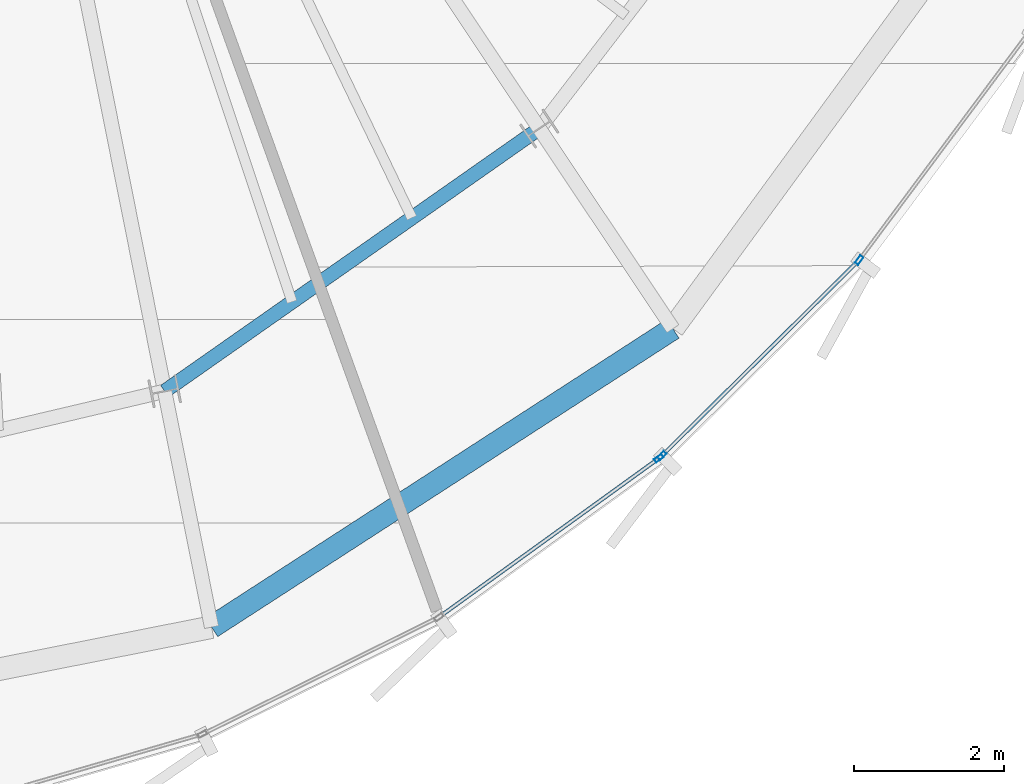
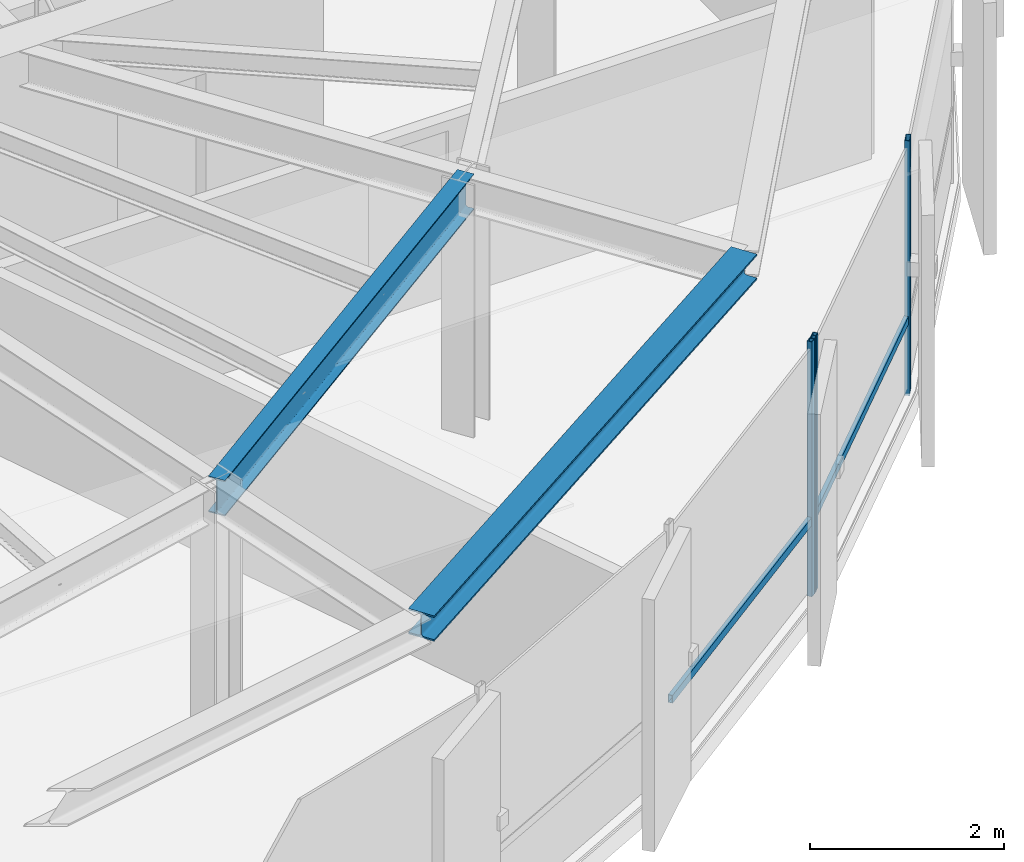
# One storey, part 7 of 30: 5 members, 2 beams, 2 elements without a shape of their own.
"""IFC4 building model written with IfcOpenShell, lengths in metres."""

from ifc_helpers import new_model, si_unit, direction, frame, origin, origin_2d, place, context, subcontext, project, spatial, hollow_rectangle, i_section, extrude, source, transform, mapped, material, layer, layer_set, material_profile, profile_set, type_object, element, aggregate, save


model = new_model("IFC4")

# Units and contexts
model_context = context("Model", 3, precision=1e-05, world=origin(), true_north=direction((0.0, 1.0)))
body_context = subcontext(model_context, "Body", "Model", "MODEL_VIEW")
ifc_project = project(units=[si_unit("LENGTHUNIT", "METRE"), si_unit("AREAUNIT", "SQUARE_METRE"), si_unit("VOLUMEUNIT", "CUBIC_METRE"), si_unit("PLANEANGLEUNIT", "RADIAN"), si_unit("MASSUNIT", "GRAM", prefix="KILO"), si_unit("THERMODYNAMICTEMPERATUREUNIT", "KELVIN")], contexts=[model_context])

# Site, building, storey
site_placement = place(None, origin())
site = spatial("IfcSite", under=ifc_project, at=site_placement, CompositionType="ELEMENT")
building_placement = place(site_placement, origin())
building = spatial("IfcBuilding", under=site, at=building_placement, Name="Kethvar Cultural Tower", CompositionType="ELEMENT")
storey_placement = place(building_placement, frame((0.0, 0.0, 297.39990234375)))
storey = spatial("IfcBuildingStorey", under=building, at=storey_placement, Name="L79", CompositionType="ELEMENT", Elevation=297.39990234375)

# Beams
ifc_material_1 = material(Name="Steel S355J2", Category="steel")
ifc_material_profile_1 = material_profile(ifc_material_1, i_section(OverallWidth=0.18994140625, OverallDepth=0.449951171875, WebThickness=0.009521484375, FlangeThickness=0.0146484375, FilletRadius=0.02099609375, at=origin_2d()), Name="Steel S355J2 — IPE450")
ifc_profile_set_1 = profile_set([ifc_material_profile_1], Name="Steel S355J2 — IPE450")
beam_type_1 = type_object("IfcBeamType", Name="BM-IPE450", PredefinedType="BEAM", material=ifc_profile_set_1)
shared_shape_1 = source(origin(), body_context, "Body", "SweptSolid", [
    extrude(i_section(OverallWidth=0.18994140625, OverallDepth=0.449951171875, WebThickness=0.009521484375, FlangeThickness=0.0146484375, FilletRadius=0.02099609375, at=origin_2d()), origin(), (0.0, 0.0, 1.0), 6.0859375),
])
beam_1_placement = place(storey_placement, frame((49.901611328125, 12.206787109375, 2.983154296875), z_axis=(0.818843498091, 0.57401683393, 0.0), x_axis=(-0.57401683393, 0.818843498091, 0.0)))
element("IfcBeam", 1, at=beam_1_placement, inside=storey, type_object=beam_type_1, Name="L79 Column Ring Tie Beam CR-13", PredefinedType="BEAM", context=body_context, shape_type="MappedRepresentation", body=[
    mapped(shared_shape_1, transform((0.0, 0.0, 0.0), scale=1.0)),
])
ifc_material_profile_2 = material_profile(ifc_material_1, i_section(OverallWidth=0.300048828125, OverallDepth=0.320068359375, WebThickness=0.011474609375, FlangeThickness=0.0205078125, FilletRadius=0.027099609375, at=origin_2d()), Name="Steel S355J2 — HEB320")
ifc_profile_set_2 = profile_set([ifc_material_profile_2], Name="Steel S355J2 — HEB320")
beam_type_2 = type_object("IfcBeamType", Name="BM-SP320", PredefinedType="SPANDREL", material=ifc_profile_set_2)
shared_shape_2 = source(origin(), body_context, "Body", "SweptSolid", [
    extrude(i_section(OverallWidth=0.300048828125, OverallDepth=0.320068359375, WebThickness=0.011474609375, FlangeThickness=0.0205078125, FilletRadius=0.027099609375, at=origin_2d()), origin(), (0.0, 0.0, 1.0), 7.309326171875),
])
beam_2_placement = place(storey_placement, frame((50.52587890625, 9.068359375, 3.048095703125), z_axis=(0.839562091992, 0.543263742292, 0.0), x_axis=(-0.543263742292, 0.839562091992, 0.0)))
element("IfcBeam", 2, at=beam_2_placement, inside=storey, type_object=beam_type_2, Name="L79 Perimeter Spandrel Beam SP-13", PredefinedType="SPANDREL", context=body_context, shape_type="MappedRepresentation", body=[
    mapped(shared_shape_2, transform((0.0, 0.0, 0.0), scale=1.0)),
])

# Curtain wall, member
ifc_material_2 = material(Name="Aluminium 6063-T6", Category="aluminium")
ifc_layer = layer(ifc_material_2, 0.179931640625, Name="Aluminium 6063-T6", Category="aluminium")
ifc_layer_set = layer_set([ifc_layer], Name="Aluminium 6063-T6 (180 mm)")
curtain_wall_type = type_object("IfcCurtainWallType", Name="CW-SYS-05-Z56", PredefinedType="NOTDEFINED", material=ifc_layer_set)
curtain_wall_1_placement = place(storey_placement, origin())
curtain_wall_1 = element("IfcCurtainWall", 3, at=curtain_wall_1_placement, inside=storey, type_object=curtain_wall_type, Name="L79 Curtain Wall Run 04", PredefinedType="NOTDEFINED")
ifc_material_profile_3 = material_profile(ifc_material_2, hollow_rectangle(XDim=0.054931640625, YDim=0.1201171875, WallThickness=0.00390625, at=origin_2d()), Name="Aluminium 6063-T6 — RHS120x55x4")
ifc_profile_set_3 = profile_set([ifc_material_profile_3], Name="Aluminium 6063-T6 — RHS120x55x4")
member_type_1 = type_object("IfcMemberType", Name="CW-SYS-05-Z56-MUL", PredefinedType="MULLION", material=ifc_profile_set_3)
shared_shape_3 = source(origin(), body_context, "Body", "SweptSolid", [
    extrude(hollow_rectangle(XDim=0.054931640625, YDim=0.1201171875, WallThickness=0.00390625, at=origin_2d()), origin(), (0.0, 0.0, 1.0), 3.210205078125),
])
member_1_placement = place(storey_placement, frame((56.4755859375, 11.314453125, 0.0), z_axis=(0.0, 0.0, 1.0), x_axis=(-0.585580354739, 0.810614364629, 0.0)))
member_1 = element("IfcMember", 4, at=member_1_placement, type_object=member_type_1, Name="CW-L79-R04 Mullion 7", PredefinedType="MULLION", context=body_context, shape_type="MappedRepresentation", body=[
    mapped(shared_shape_3, transform((0.0, 0.0, 0.0), scale=1.0)),
])

# Curtain wall, members
curtain_wall_2_placement = place(storey_placement, origin())
curtain_wall_2 = element("IfcCurtainWall", 5, at=curtain_wall_2_placement, inside=storey, type_object=curtain_wall_type, Name="L79 Curtain Wall Run 05", PredefinedType="NOTDEFINED")
member_2_placement = place(storey_placement, frame((56.51806640625, 11.3505859375, 0.0), z_axis=(0.0, 0.0, 1.0), x_axis=(-0.704374091382, 0.709828950797, 0.0)))
member_2 = element("IfcMember", 6, at=member_2_placement, type_object=member_type_1, Name="CW-L79-R05 Mullion 1", PredefinedType="MULLION", context=body_context, shape_type="MappedRepresentation", body=[
    mapped(shared_shape_3, transform((0.0, 0.0, 0.0), scale=1.0)),
])
member_3_placement = place(storey_placement, frame((59.138916015625, 13.94970703125, 0.0), z_axis=(0.0, 0.0, 1.0), x_axis=(-0.801900792976, 0.597457210371, 0.0)))
member_3 = element("IfcMember", 7, at=member_3_placement, type_object=member_type_1, Name="CW-L79-R05 Mullion 2", PredefinedType="MULLION", context=body_context, shape_type="MappedRepresentation", body=[
    mapped(shared_shape_3, transform((0.0, 0.0, 0.0), scale=1.0)),
])

# Member
ifc_material_profile_4 = material_profile(ifc_material_2, hollow_rectangle(XDim=0.050048828125, YDim=0.10009765625, WallThickness=0.00390625, at=origin_2d()), Name="Aluminium 6063-T6 — RHS100x50x4")
ifc_profile_set_4 = profile_set([ifc_material_profile_4], Name="Aluminium 6063-T6 — RHS100x50x4")
member_type_2 = type_object("IfcMemberType", Name="CW-SYS-05-Z56-TRN", PredefinedType="USERDEFINED", material=ifc_profile_set_4)
shared_shape_4 = source(origin(), body_context, "Body", "SweptSolid", [
    extrude(hollow_rectangle(XDim=0.050048828125, YDim=0.10009765625, WallThickness=0.00390625, at=origin_2d()), origin(), (0.0, 0.0, 1.0), 3.563232421875),
])
member_4_placement = place(storey_placement, frame((53.583984375, 9.225830078125, 0.9501953125), z_axis=(0.810634057054, 0.585553093702, 0.0), x_axis=(-0.585553093702, 0.810634057054, 0.0)))
member_4 = element("IfcMember", 8, at=member_4_placement, type_object=member_type_2, Name="CW-L79-R04 Transom 6", ObjectType="TRANSOM", PredefinedType="USERDEFINED", context=body_context, shape_type="MappedRepresentation", body=[
    mapped(shared_shape_4, transform((0.0, 0.0, 0.0), scale=1.0)),
])

aggregate(curtain_wall_1, [member_1, member_4])

shared_shape_5 = source(origin(), body_context, "Body", "SweptSolid", [
    extrude(hollow_rectangle(XDim=0.050048828125, YDim=0.10009765625, WallThickness=0.00390625, at=origin_2d()), origin(), (0.0, 0.0, 1.0), 3.66259765625),
])
member_5_placement = place(storey_placement, frame((56.520751953125, 11.353271484375, 0.9501953125), z_axis=(0.709834452394, 0.704368547136, 0.0), x_axis=(-0.704368547136, 0.709834452394, 0.0)))
member_5 = element("IfcMember", 9, at=member_5_placement, type_object=member_type_2, Name="CW-L79-R05 Transom 1", ObjectType="TRANSOM", PredefinedType="USERDEFINED", context=body_context, shape_type="MappedRepresentation", body=[
    mapped(shared_shape_5, transform((0.0, 0.0, 0.0), scale=1.0)),
])

aggregate(curtain_wall_2, [member_2, member_3, member_5])

save(model, "model.ifc")
